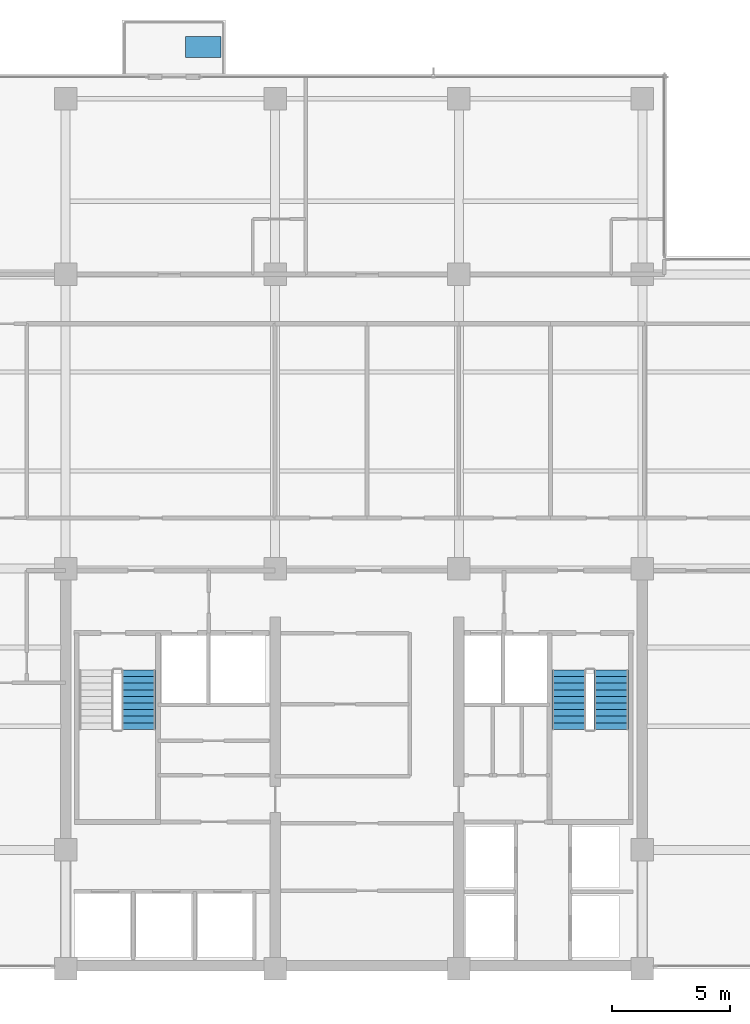
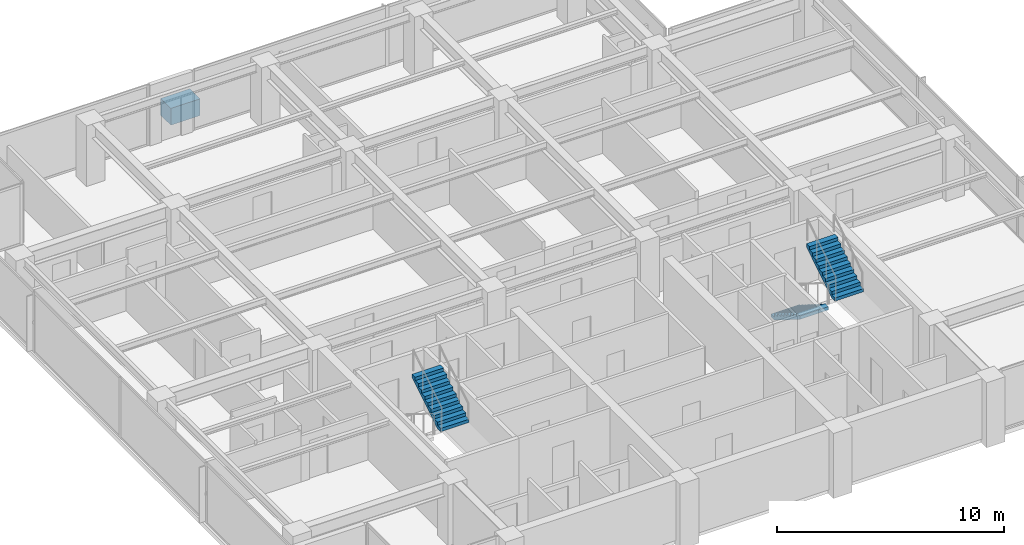
# One storey, part 10 of 14: 3 stair flights, 1 discrete accessory, 2 elements without a shape of their own.
"""IFC4 building model written with IfcOpenShell, lengths in metres."""

from ifc_helpers import new_model, si_unit, direction, frame, origin, place, context, subcontext, project, spatial, polyline, outline, extrude, material, layer, layer_set, type_object, element, aggregate, save


model = new_model("IFC4")

# Units and contexts
model_context = context("Model", 3, precision=1e-05, world=origin(), true_north=direction((0.0, 1.0)))
body_context = subcontext(model_context, "Body", "Model", "MODEL_VIEW")
ifc_project = project(units=[si_unit("LENGTHUNIT", "METRE"), si_unit("AREAUNIT", "SQUARE_METRE"), si_unit("VOLUMEUNIT", "CUBIC_METRE"), si_unit("PLANEANGLEUNIT", "RADIAN"), si_unit("MASSUNIT", "GRAM", prefix="KILO")], contexts=[model_context])

# Site, building, storey
site_placement = place(None, origin())
site = spatial("IfcSite", under=ifc_project, at=site_placement, CompositionType="ELEMENT")
building_placement = place(site_placement, origin())
building = spatial("IfcBuilding", under=site, at=building_placement, Name="Qalmaran Belvedere Hotel", CompositionType="ELEMENT")
storey_placement = place(building_placement, frame((0.0, 0.0, 217.89990234375)))
storey = spatial("IfcBuildingStorey", under=building, at=storey_placement, Name="L55", CompositionType="ELEMENT", Elevation=217.89990234375)

# Stair, stair flight
ifc_material = material(Name="Concrete C40/50", Category="concrete")
stair_type_1 = type_object("IfcStairType", Name="STR-ST-1-1450-R1750", PredefinedType="HALF_TURN_STAIR", material=ifc_material)
stair_1_placement = place(storey_placement, origin())
stair_1 = element("IfcStair", 1, at=stair_1_placement, inside=storey, type_object=stair_type_1, Name="L55 West Core Exit Stair ST-1", PredefinedType="HALF_TURN_STAIR")
ifc_layer_1 = layer(ifc_material, 0.14990234375, Name="Concrete C40/50")
ifc_layer_set_1 = layer_set([ifc_layer_1], Name="Concrete C40/50")
stair_flight_type_1 = type_object("IfcStairFlightType", Name="STF-ST-1-1450-R1750", PredefinedType="STRAIGHT", material=ifc_layer_set_1)
stair_flight_1_placement = place(storey_placement, frame((23.39501953125, 13.669921875, 1.75), z_axis=(0.0, 0.0, 1.0), x_axis=(0.0, 1.0, 0.0)))
stair_flight_1 = element("IfcStairFlight", 2, at=stair_flight_1_placement, type_object=stair_flight_type_1, Name="ST-1 flight 2", NumberOfRisers=10, NumberOfTreads=9, PredefinedType="STRAIGHT", RiserHeight=0.175, TreadLength=0.28, context=body_context, shape_type="SweptSolid", body=[
    extrude(outline(polyline([(0.0, 0.0), (0.0, 0.175048828125), (0.280029296875, 0.175048828125), (0.280029296875, 0.35009765625), (0.56005859375, 0.35009765625), (0.56005859375, 0.52490234375), (0.840087890625, 0.52490234375), (0.840087890625, 0.699951171875), (1.1201171875, 0.699951171875), (1.1201171875, 0.875), (1.39990234375, 0.875), (1.39990234375, 1.050048828125), (1.679931640625, 1.050048828125), (1.679931640625, 1.22509765625), (1.9599609375, 1.22509765625), (1.9599609375, 1.39990234375), (2.239990234375, 1.39990234375), (2.239990234375, 1.574951171875), (2.52001953125, 1.574951171875), (2.52001953125, 1.75), (2.52001953125, 1.398193359375), (0.28271484375, 0.0), (0.0, 0.0)])), frame((0.0, 0.72509765625, 0.0), z_axis=(0.0, -1.0, 0.0), x_axis=(1.0, 0.0, 0.0)), (0.0, 0.0, 1.0), 1.449951171875),
])
aggregate(stair_1, [stair_flight_1])

# Stair, stair flights
stair_type_2 = type_object("IfcStairType", Name="STR-ST-2-1450-R1750", PredefinedType="HALF_TURN_STAIR", material=ifc_material)
stair_2_placement = place(storey_placement, origin())
stair_2 = element("IfcStair", 3, at=stair_2_placement, inside=storey, type_object=stair_type_2, Name="L55 East Core Exit Stair ST-2", PredefinedType="HALF_TURN_STAIR")
ifc_layer_2 = layer(ifc_material, 0.14990234375, Name="Concrete C40/50")
ifc_layer_set_2 = layer_set([ifc_layer_2], Name="Concrete C40/50")
stair_flight_type_2 = type_object("IfcStairFlightType", Name="STF-ST-2-1450-R1750", PredefinedType="STRAIGHT", material=ifc_layer_set_2)
stair_flight_2_placement = place(storey_placement, frame((41.68505859375, 16.18994140625, 0.0), z_axis=(0.0, 0.0, 1.0), x_axis=(0.0, -1.0, 0.0)))
stair_flight_2 = element("IfcStairFlight", 4, at=stair_flight_2_placement, type_object=stair_flight_type_2, Name="ST-2 flight 1", NumberOfRisers=10, NumberOfTreads=9, PredefinedType="STRAIGHT", RiserHeight=0.175, TreadLength=0.28, context=body_context, shape_type="SweptSolid", body=[
    extrude(outline(polyline([(0.0, 0.0), (0.0, 0.175048828125), (0.280029296875, 0.175048828125), (0.280029296875, 0.35009765625), (0.56005859375, 0.35009765625), (0.56005859375, 0.52490234375), (0.840087890625, 0.52490234375), (0.840087890625, 0.699951171875), (1.1201171875, 0.699951171875), (1.1201171875, 0.875), (1.39990234375, 0.875), (1.39990234375, 1.050048828125), (1.679931640625, 1.050048828125), (1.679931640625, 1.22509765625), (1.9599609375, 1.22509765625), (1.9599609375, 1.39990234375), (2.239990234375, 1.39990234375), (2.239990234375, 1.574951171875), (2.52001953125, 1.574951171875), (2.52001953125, 1.75), (2.52001953125, 1.398193359375), (0.28271484375, 0.0), (0.0, 0.0)])), frame((0.0, 0.72509765625, 0.0), z_axis=(0.0, -1.0, 0.0), x_axis=(1.0, 0.0, 0.0)), (0.0, 0.0, 1.0), 1.449951171875),
])
stair_flight_3_placement = place(storey_placement, frame((43.47509765625, 13.669921875, 1.75), z_axis=(0.0, 0.0, 1.0), x_axis=(0.0, 1.0, 0.0)))
stair_flight_3 = element("IfcStairFlight", 5, at=stair_flight_3_placement, type_object=stair_flight_type_2, Name="ST-2 flight 2", NumberOfRisers=10, NumberOfTreads=9, PredefinedType="STRAIGHT", RiserHeight=0.175, TreadLength=0.28, context=body_context, shape_type="SweptSolid", body=[
    extrude(outline(polyline([(0.0, 0.0), (0.0, 0.175048828125), (0.280029296875, 0.175048828125), (0.280029296875, 0.35009765625), (0.56005859375, 0.35009765625), (0.56005859375, 0.52490234375), (0.840087890625, 0.52490234375), (0.840087890625, 0.699951171875), (1.1201171875, 0.699951171875), (1.1201171875, 0.875), (1.39990234375, 0.875), (1.39990234375, 1.050048828125), (1.679931640625, 1.050048828125), (1.679931640625, 1.22509765625), (1.9599609375, 1.22509765625), (1.9599609375, 1.39990234375), (2.239990234375, 1.39990234375), (2.239990234375, 1.574951171875), (2.52001953125, 1.574951171875), (2.52001953125, 1.75), (2.52001953125, 1.398193359375), (0.28271484375, 0.0), (0.0, 0.0)])), frame((0.0, 0.72509765625, 0.0), z_axis=(0.0, -1.0, 0.0), x_axis=(1.0, 0.0, 0.0)), (0.0, 0.0, 1.0), 1.449951171875),
])
aggregate(stair_2, [stair_flight_2, stair_flight_3])

# Discrete accessory
discrete_accessory_type = type_object("IfcDiscreteAccessoryType", Name="PLN-BAL-1500", PredefinedType="USERDEFINED", material=ifc_material)
discrete_accessory_placement = place(storey_placement, origin())
element("IfcDiscreteAccessory", 6, at=discrete_accessory_placement, inside=storey, type_object=discrete_accessory_type, Name="L55 Sky Tree Planter", ObjectType="PLANTER", PredefinedType="USERDEFINED", context=body_context, shape_type="SweptSolid", body=[
    extrude(outline(polyline([(25.39990234375, 42.199951171875), (26.89990234375, 42.199951171875), (26.89990234375, 43.10009765625), (25.39990234375, 43.10009765625), (25.39990234375, 42.199951171875)])), origin(), (0.0, 0.0, 1.0), 0.900146484375),
])

save(model, "model.ifc")
